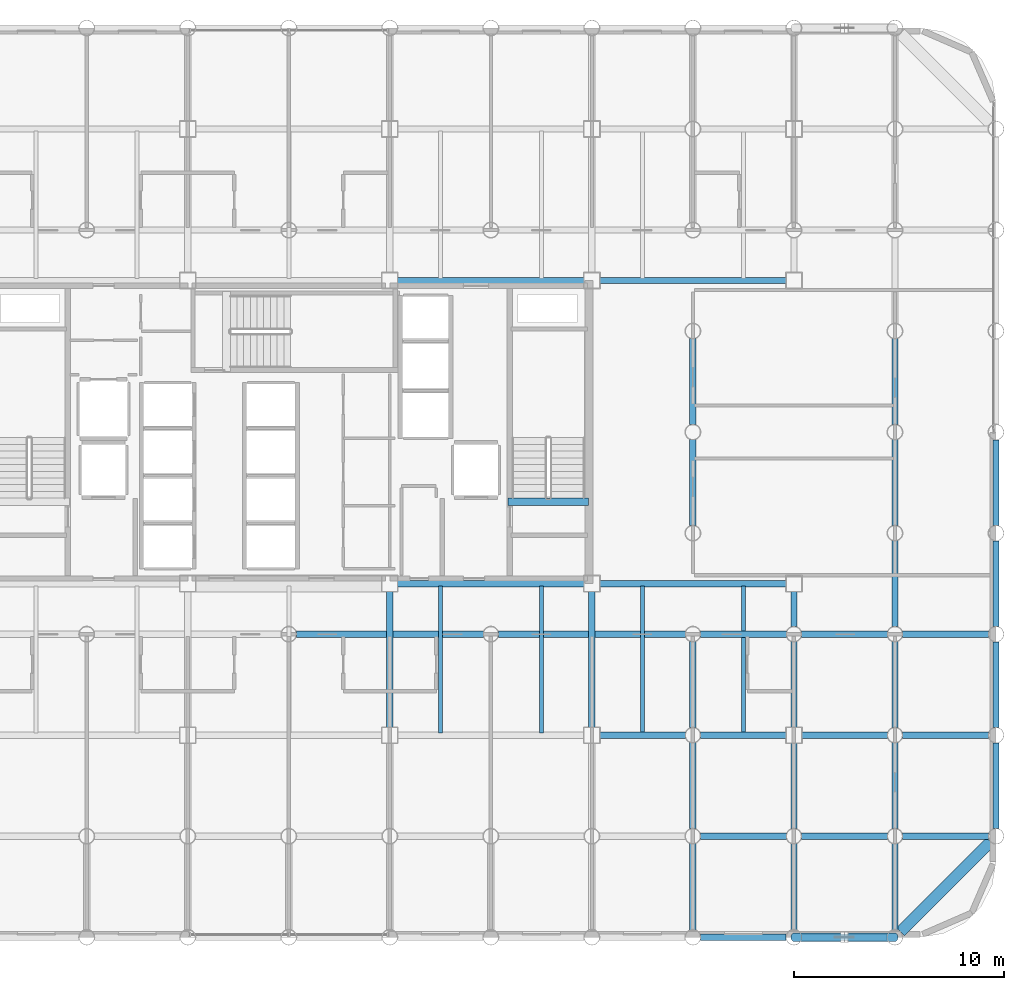
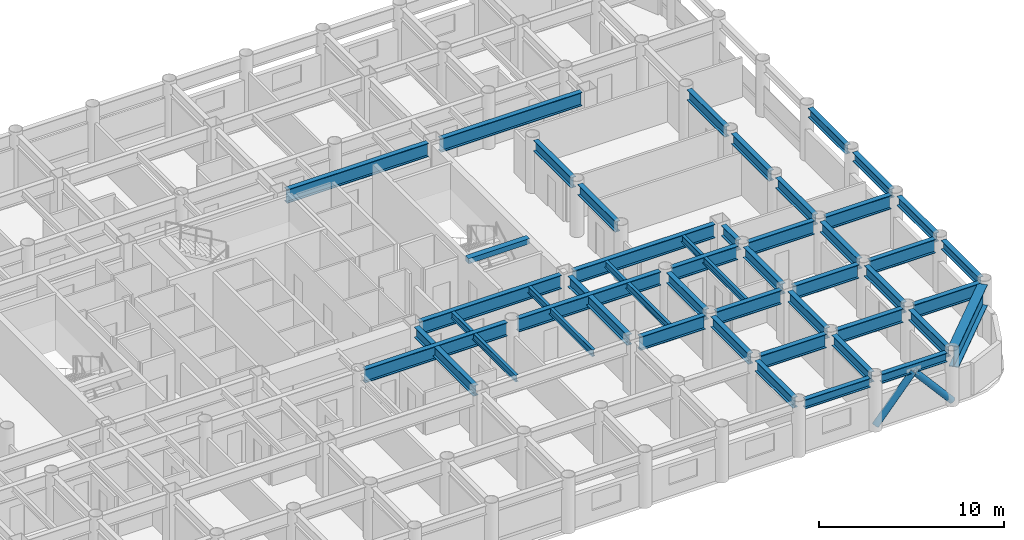
# One storey, part 7 of 21: 45 beams, 2 members.
"""IFC4 building model written with IfcOpenShell, lengths in metres."""

from ifc_helpers import new_model, si_unit, direction, frame, origin, origin_2d, place, context, subcontext, project, spatial, rectangle, hollow_circle, i_section, extrude, material, material_profile, profile_set, type_object, element, save


model = new_model("IFC4")

# Units and contexts
model_context = context("Model", 3, precision=1e-05, world=origin(), true_north=direction((0.0, 1.0)))
body_context = subcontext(model_context, "Body", "Model", "MODEL_VIEW")
ifc_project = project(units=[si_unit("LENGTHUNIT", "METRE"), si_unit("AREAUNIT", "SQUARE_METRE"), si_unit("VOLUMEUNIT", "CUBIC_METRE"), si_unit("PLANEANGLEUNIT", "RADIAN"), si_unit("MASSUNIT", "GRAM", prefix="KILO")], contexts=[model_context])

# Site, building, storey
site_placement = place(None, origin())
site = spatial("IfcSite", under=ifc_project, at=site_placement, CompositionType="ELEMENT")
building_placement = place(site_placement, origin())
building = spatial("IfcBuilding", under=site, at=building_placement, Name="Kallvorn Hotel Tower", CompositionType="ELEMENT")
storey_placement = place(building_placement, frame((0.0, 0.0, 81.800048828125)))
storey = spatial("IfcBuildingStorey", under=building, at=storey_placement, Name="L19", CompositionType="ELEMENT", Elevation=81.800048828125)

# Beams
ifc_material_1 = material(Name="Structural steel S355JR", Category="steel")
ifc_material_profile_1 = material_profile(ifc_material_1, i_section(OverallWidth=0.300048828125, OverallDepth=0.60009765625, WebThickness=0.015380859375, FlangeThickness=0.030029296875, at=origin_2d()), Name="HE 600 B")
ifc_profile_set_1 = profile_set([ifc_material_profile_1], Name="Structural steel S355JR")
beam_type_1 = type_object("IfcBeamType", Name="BM_HE600B", PredefinedType="SPANDREL", material=ifc_profile_set_1)
for number, where, z_axis, x_axis, name in (
    (1, (19.571044921875, -24.0, 3.219970703125), (1.0, 0.0, 0.0), (0.0, 1.0, 0.0), "L20 Perimeter Spandrel 160"),
    (2, (24.37109375, -24.0, 3.219970703125), (1.0, 0.0, 0.0), (0.0, 1.0, 0.0), "L20 Perimeter Spandrel 161"),
):
    element("IfcBeam", number, at=place(storey_placement, frame(where, z_axis=z_axis, x_axis=x_axis)), inside=storey, type_object=beam_type_1, Name=name, PredefinedType="SPANDREL", context=body_context, shape_type="SweptSolid", body=[
        extrude(i_section(OverallWidth=0.300048828125, OverallDepth=0.60009765625, WebThickness=0.015380859375, FlangeThickness=0.030029296875, at=origin_2d()), origin(), (0.0, 0.0, 1.0), 4.057861328125),
    ])
for number, where, z_axis, x_axis, name in (
    (3, (33.60009765625, -18.8291015625, 3.219970703125), (0.0, 1.0, 0.0), (-1.0, 0.0, 0.0), "L20 Perimeter Spandrel 182"),
    (4, (33.60009765625, -14.029052734375, 3.219970703125), (0.0, 1.0, 0.0), (-1.0, 0.0, 0.0), "L20 Perimeter Spandrel 183"),
    (5, (33.60009765625, -9.22900390625, 3.219970703125), (0.0, 1.0, 0.0), (-1.0, 0.0, 0.0), "L20 Perimeter Spandrel 184"),
):
    element("IfcBeam", number, at=place(storey_placement, frame(where, z_axis=z_axis, x_axis=x_axis)), inside=storey, type_object=beam_type_1, Name=name, PredefinedType="SPANDREL", context=body_context, shape_type="SweptSolid", body=[
        extrude(i_section(OverallWidth=0.300048828125, OverallDepth=0.60009765625, WebThickness=0.015380859375, FlangeThickness=0.030029296875, at=origin_2d()), origin(), (0.0, 0.0, 1.0), 4.05810546875),
    ])
beam_1_placement = place(storey_placement, frame((33.60009765625, -4.428955078125, 3.219970703125), z_axis=(0.0, 1.0, 0.0), x_axis=(-1.0, 0.0, 0.0)))
element("IfcBeam", 6, at=beam_1_placement, inside=storey, type_object=beam_type_1, Name="L20 Perimeter Spandrel 185", PredefinedType="SPANDREL", context=body_context, shape_type="SweptSolid", body=[
    extrude(i_section(OverallWidth=0.300048828125, OverallDepth=0.60009765625, WebThickness=0.015380859375, FlangeThickness=0.030029296875, at=origin_2d()), origin(), (0.0, 0.0, 1.0), 4.057861328125),
])
ifc_material_2 = material(Name="Structural steel S355JR", Category="steel")
ifc_material_profile_2 = material_profile(ifc_material_2, i_section(OverallWidth=0.300048828125, OverallDepth=0.699951171875, WebThickness=0.01708984375, FlangeThickness=0.031982421875, at=origin_2d()), Name="HE 700 B")
ifc_profile_set_2 = profile_set([ifc_material_profile_2], Name="Structural steel S355JR")
beam_type_2 = type_object("IfcBeamType", Name="BM_HE700B", PredefinedType="BEAM", material=ifc_profile_set_2)
for number, where, z_axis, x_axis, name in (
    (7, (4.800048828125, -14.02490234375, 3.169921875), (0.0, 1.0, 0.0), (-1.0, 0.0, 0.0), "L20 Primary Y-Girder 115"),
    (8, (14.39990234375, -14.02490234375, 3.169921875), (0.0, 1.0, 0.0), (-1.0, 0.0, 0.0), "L20 Primary Y-Girder 123"),
):
    element("IfcBeam", number, at=place(storey_placement, frame(where, z_axis=z_axis, x_axis=x_axis)), inside=storey, type_object=beam_type_2, Name=name, PredefinedType="BEAM", context=body_context, shape_type="SweptSolid", body=[
        extrude(i_section(OverallWidth=0.300048828125, OverallDepth=0.699951171875, WebThickness=0.01708984375, FlangeThickness=0.031982421875, at=origin_2d()), origin(), (0.0, 0.0, 1.0), 6.449951171875),
    ])
beam_2_placement = place(storey_placement, frame((19.199951171875, -23.64404296875, 3.169921875), z_axis=(0.0, 1.0, 0.0), x_axis=(-1.0, 0.0, 0.0)))
element("IfcBeam", 9, at=beam_2_placement, inside=storey, type_object=beam_type_2, Name="L20 Primary Y-Girder 126", PredefinedType="BEAM", context=body_context, shape_type="SweptSolid", body=[
    extrude(i_section(OverallWidth=0.300048828125, OverallDepth=0.699951171875, WebThickness=0.01708984375, FlangeThickness=0.031982421875, at=origin_2d()), origin(), (0.0, 0.0, 1.0), 4.088134765625),
])
for number, where, z_axis, x_axis, name in (
    (10, (19.199951171875, -18.843994140625, 3.169921875), (0.0, 1.0, 0.0), (-1.0, 0.0, 0.0), "L20 Primary Y-Girder 127"),
    (11, (19.199951171875, -14.0439453125, 3.169921875), (0.0, 1.0, 0.0), (-1.0, 0.0, 0.0), "L20 Primary Y-Girder 128"),
):
    element("IfcBeam", number, at=place(storey_placement, frame(where, z_axis=z_axis, x_axis=x_axis)), inside=storey, type_object=beam_type_2, Name=name, PredefinedType="BEAM", context=body_context, shape_type="SweptSolid", body=[
        extrude(i_section(OverallWidth=0.300048828125, OverallDepth=0.699951171875, WebThickness=0.01708984375, FlangeThickness=0.031982421875, at=origin_2d()), origin(), (0.0, 0.0, 1.0), 4.087890625),
    ])
for number, where, z_axis, x_axis, name in (
    (12, (19.199951171875, -4.444091796875, 3.169921875), (0.0, 1.0, 0.0), (-1.0, 0.0, 0.0), "L20 Primary Y-Girder 130"),
    (13, (19.199951171875, 0.35595703125, 3.169921875), (0.0, 1.0, 0.0), (-1.0, 0.0, 0.0), "L20 Primary Y-Girder 131"),
    (14, (24.0, -23.64404296875, 3.169921875), (0.0, 1.0, 0.0), (-1.0, 0.0, 0.0), "L20 Primary Y-Girder 135"),
):
    element("IfcBeam", number, at=place(storey_placement, frame(where, z_axis=z_axis, x_axis=x_axis)), inside=storey, type_object=beam_type_2, Name=name, PredefinedType="BEAM", context=body_context, shape_type="SweptSolid", body=[
        extrude(i_section(OverallWidth=0.300048828125, OverallDepth=0.699951171875, WebThickness=0.01708984375, FlangeThickness=0.031982421875, at=origin_2d()), origin(), (0.0, 0.0, 1.0), 4.088134765625),
    ])
beam_3_placement = place(storey_placement, frame((24.0, -18.843994140625, 3.169921875), z_axis=(0.0, 1.0, 0.0), x_axis=(-1.0, 0.0, 0.0)))
element("IfcBeam", 15, at=beam_3_placement, inside=storey, type_object=beam_type_2, Name="L20 Primary Y-Girder 136", PredefinedType="BEAM", context=body_context, shape_type="SweptSolid", body=[
    extrude(i_section(OverallWidth=0.300048828125, OverallDepth=0.699951171875, WebThickness=0.01708984375, FlangeThickness=0.031982421875, at=origin_2d()), origin(), (0.0, 0.0, 1.0), 4.069091796875),
])
beam_4_placement = place(storey_placement, frame((24.0, -14.02490234375, 3.169921875), z_axis=(0.0, 1.0, 0.0), x_axis=(-1.0, 0.0, 0.0)))
element("IfcBeam", 16, at=beam_4_placement, inside=storey, type_object=beam_type_2, Name="L20 Primary Y-Girder 137", PredefinedType="BEAM", context=body_context, shape_type="SweptSolid", body=[
    extrude(i_section(OverallWidth=0.300048828125, OverallDepth=0.699951171875, WebThickness=0.01708984375, FlangeThickness=0.031982421875, at=origin_2d()), origin(), (0.0, 0.0, 1.0), 4.06884765625),
])
beam_5_placement = place(storey_placement, frame((24.0, -9.243896484375, 3.169921875), z_axis=(0.0, 1.0, 0.0), x_axis=(-1.0, 0.0, 0.0)))
element("IfcBeam", 17, at=beam_5_placement, inside=storey, type_object=beam_type_2, Name="L20 Primary Y-Girder 138", PredefinedType="BEAM", context=body_context, shape_type="SweptSolid", body=[
    extrude(i_section(OverallWidth=0.300048828125, OverallDepth=0.699951171875, WebThickness=0.01708984375, FlangeThickness=0.031982421875, at=origin_2d()), origin(), (0.0, 0.0, 1.0), 1.6689453125),
])
beam_6_placement = place(storey_placement, frame((28.800048828125, -23.64404296875, 3.169921875), z_axis=(0.0, 1.0, 0.0), x_axis=(-1.0, 0.0, 0.0)))
element("IfcBeam", 18, at=beam_6_placement, inside=storey, type_object=beam_type_2, Name="L20 Primary Y-Girder 142", PredefinedType="BEAM", context=body_context, shape_type="SweptSolid", body=[
    extrude(i_section(OverallWidth=0.300048828125, OverallDepth=0.699951171875, WebThickness=0.01708984375, FlangeThickness=0.031982421875, at=origin_2d()), origin(), (0.0, 0.0, 1.0), 4.088134765625),
])
for number, where, z_axis, x_axis, name in (
    (19, (28.800048828125, -18.843994140625, 3.169921875), (0.0, 1.0, 0.0), (-1.0, 0.0, 0.0), "L20 Primary Y-Girder 143"),
    (20, (28.800048828125, -14.0439453125, 3.169921875), (0.0, 1.0, 0.0), (-1.0, 0.0, 0.0), "L20 Primary Y-Girder 144"),
    (21, (28.800048828125, -9.243896484375, 3.169921875), (0.0, 1.0, 0.0), (-1.0, 0.0, 0.0), "L20 Primary Y-Girder 145"),
):
    element("IfcBeam", number, at=place(storey_placement, frame(where, z_axis=z_axis, x_axis=x_axis)), inside=storey, type_object=beam_type_2, Name=name, PredefinedType="BEAM", context=body_context, shape_type="SweptSolid", body=[
        extrude(i_section(OverallWidth=0.300048828125, OverallDepth=0.699951171875, WebThickness=0.01708984375, FlangeThickness=0.031982421875, at=origin_2d()), origin(), (0.0, 0.0, 1.0), 4.087890625),
    ])
for number, where, z_axis, x_axis, name in (
    (22, (28.800048828125, -4.444091796875, 3.169921875), (0.0, 1.0, 0.0), (-1.0, 0.0, 0.0), "L20 Primary Y-Girder 146"),
    (23, (28.800048828125, 0.35595703125, 3.169921875), (0.0, 1.0, 0.0), (-1.0, 0.0, 0.0), "L20 Primary Y-Girder 147"),
):
    element("IfcBeam", number, at=place(storey_placement, frame(where, z_axis=z_axis, x_axis=x_axis)), inside=storey, type_object=beam_type_2, Name=name, PredefinedType="BEAM", context=body_context, shape_type="SweptSolid", body=[
        extrude(i_section(OverallWidth=0.300048828125, OverallDepth=0.699951171875, WebThickness=0.01708984375, FlangeThickness=0.031982421875, at=origin_2d()), origin(), (0.0, 0.0, 1.0), 4.088134765625),
    ])
ifc_material_3 = material(Name="Structural steel S355JR", Category="steel")
ifc_material_profile_3 = material_profile(ifc_material_3, i_section(OverallWidth=0.300048828125, OverallDepth=0.89990234375, WebThickness=0.0185546875, FlangeThickness=0.034912109375, at=origin_2d()), Name="HE 900 B")
ifc_profile_set_3 = profile_set([ifc_material_profile_3], Name="Structural steel S355JR")
beam_type_3 = type_object("IfcBeamType", Name="BM_HE900B", PredefinedType="BEAM", material=ifc_profile_set_3)
for number, where, z_axis, x_axis, name in (
    (24, (19.555908203125, -19.199951171875, 3.070068359375), (1.0, 0.0, 0.0), (0.0, 1.0, 0.0), "L20 Primary X-Girder 11"),
    (25, (24.35595703125, -19.199951171875, 3.070068359375), (1.0, 0.0, 0.0), (0.0, 1.0, 0.0), "L20 Primary X-Girder 12"),
):
    element("IfcBeam", number, at=place(storey_placement, frame(where, z_axis=z_axis, x_axis=x_axis)), inside=storey, type_object=beam_type_3, Name=name, PredefinedType="BEAM", context=body_context, shape_type="SweptSolid", body=[
        extrude(i_section(OverallWidth=0.300048828125, OverallDepth=0.89990234375, WebThickness=0.0185546875, FlangeThickness=0.034912109375, at=origin_2d()), origin(), (0.0, 0.0, 1.0), 4.088134765625),
    ])
beam_7_placement = place(storey_placement, frame((29.156005859375, -19.199951171875, 3.070068359375), z_axis=(1.0, 0.0, 0.0), x_axis=(0.0, 1.0, 0.0)))
element("IfcBeam", 26, at=beam_7_placement, inside=storey, type_object=beam_type_3, Name="L20 Primary X-Girder 13", PredefinedType="BEAM", context=body_context, shape_type="SweptSolid", body=[
    extrude(i_section(OverallWidth=0.300048828125, OverallDepth=0.89990234375, WebThickness=0.0185546875, FlangeThickness=0.034912109375, at=origin_2d()), origin(), (0.0, 0.0, 1.0), 4.087890625),
])
for number, where, z_axis, x_axis, name in (
    (27, (14.77490234375, -14.39990234375, 3.070068359375), (1.0, 0.0, 0.0), (0.0, 1.0, 0.0), "L20 Primary X-Girder 20"),
    (28, (19.555908203125, -14.39990234375, 3.070068359375), (1.0, 0.0, 0.0), (0.0, 1.0, 0.0), "L20 Primary X-Girder 21"),
    (29, (24.375, -14.39990234375, 3.070068359375), (1.0, 0.0, 0.0), (0.0, 1.0, 0.0), "L20 Primary X-Girder 22"),
):
    element("IfcBeam", number, at=place(storey_placement, frame(where, z_axis=z_axis, x_axis=x_axis)), inside=storey, type_object=beam_type_3, Name=name, PredefinedType="BEAM", context=body_context, shape_type="SweptSolid", body=[
        extrude(i_section(OverallWidth=0.300048828125, OverallDepth=0.89990234375, WebThickness=0.0185546875, FlangeThickness=0.034912109375, at=origin_2d()), origin(), (0.0, 0.0, 1.0), 4.069091796875),
    ])
beam_8_placement = place(storey_placement, frame((29.156005859375, -14.39990234375, 3.070068359375), z_axis=(1.0, 0.0, 0.0), x_axis=(0.0, 1.0, 0.0)))
element("IfcBeam", 30, at=beam_8_placement, inside=storey, type_object=beam_type_3, Name="L20 Primary X-Girder 23", PredefinedType="BEAM", context=body_context, shape_type="SweptSolid", body=[
    extrude(i_section(OverallWidth=0.300048828125, OverallDepth=0.89990234375, WebThickness=0.0185546875, FlangeThickness=0.034912109375, at=origin_2d()), origin(), (0.0, 0.0, 1.0), 4.087890625),
])
for number, where, z_axis, x_axis, name in (
    (31, (0.35595703125, -9.60009765625, 3.070068359375), (1.0, 0.0, 0.0), (0.0, 1.0, 0.0), "L20 Primary X-Girder 28"),
    (32, (9.9560546875, -9.60009765625, 3.070068359375), (1.0, 0.0, 0.0), (0.0, 1.0, 0.0), "L20 Primary X-Girder 29"),
):
    element("IfcBeam", number, at=place(storey_placement, frame(where, z_axis=z_axis, x_axis=x_axis)), inside=storey, type_object=beam_type_3, Name=name, PredefinedType="BEAM", context=body_context, shape_type="SweptSolid", body=[
        extrude(i_section(OverallWidth=0.300048828125, OverallDepth=0.89990234375, WebThickness=0.0185546875, FlangeThickness=0.034912109375, at=origin_2d()), origin(), (0.0, 0.0, 1.0), 8.887939453125),
    ])
for number, where, z_axis, x_axis, name in (
    (33, (19.555908203125, -9.60009765625, 3.070068359375), (1.0, 0.0, 0.0), (0.0, 1.0, 0.0), "L20 Primary X-Girder 30"),
    (34, (24.35595703125, -9.60009765625, 3.070068359375), (1.0, 0.0, 0.0), (0.0, 1.0, 0.0), "L20 Primary X-Girder 31"),
):
    element("IfcBeam", number, at=place(storey_placement, frame(where, z_axis=z_axis, x_axis=x_axis)), inside=storey, type_object=beam_type_3, Name=name, PredefinedType="BEAM", context=body_context, shape_type="SweptSolid", body=[
        extrude(i_section(OverallWidth=0.300048828125, OverallDepth=0.89990234375, WebThickness=0.0185546875, FlangeThickness=0.034912109375, at=origin_2d()), origin(), (0.0, 0.0, 1.0), 4.088134765625),
    ])
beam_9_placement = place(storey_placement, frame((29.156005859375, -9.60009765625, 3.070068359375), z_axis=(1.0, 0.0, 0.0), x_axis=(0.0, 1.0, 0.0)))
element("IfcBeam", 35, at=beam_9_placement, inside=storey, type_object=beam_type_3, Name="L20 Primary X-Girder 32", PredefinedType="BEAM", context=body_context, shape_type="SweptSolid", body=[
    extrude(i_section(OverallWidth=0.300048828125, OverallDepth=0.89990234375, WebThickness=0.0185546875, FlangeThickness=0.034912109375, at=origin_2d()), origin(), (0.0, 0.0, 1.0), 4.087890625),
])
beam_10_placement = place(storey_placement, frame((5.175048828125, -7.199951171875, 3.070068359375), z_axis=(1.0, 0.0, 0.0), x_axis=(0.0, 1.0, 0.0)))
element("IfcBeam", 36, at=beam_10_placement, inside=storey, type_object=beam_type_3, Name="L20 Primary X-Girder 35", PredefinedType="BEAM", context=body_context, shape_type="SweptSolid", body=[
    extrude(i_section(OverallWidth=0.300048828125, OverallDepth=0.89990234375, WebThickness=0.0185546875, FlangeThickness=0.034912109375, at=origin_2d()), origin(), (0.0, 0.0, 1.0), 8.849853515625),
])
beam_11_placement = place(storey_placement, frame((14.77490234375, -7.199951171875, 3.070068359375), z_axis=(1.0, 0.0, 0.0), x_axis=(0.0, 1.0, 0.0)))
element("IfcBeam", 37, at=beam_11_placement, inside=storey, type_object=beam_type_3, Name="L20 Primary X-Girder 36", PredefinedType="BEAM", context=body_context, shape_type="SweptSolid", body=[
    extrude(i_section(OverallWidth=0.300048828125, OverallDepth=0.89990234375, WebThickness=0.0185546875, FlangeThickness=0.034912109375, at=origin_2d()), origin(), (0.0, 0.0, 1.0), 8.85009765625),
])
beam_12_placement = place(storey_placement, frame((5.175048828125, 7.199951171875, 3.070068359375), z_axis=(1.0, 0.0, 0.0), x_axis=(0.0, 1.0, 0.0)))
element("IfcBeam", 38, at=beam_12_placement, inside=storey, type_object=beam_type_3, Name="L20 Primary X-Girder 40", PredefinedType="BEAM", context=body_context, shape_type="SweptSolid", body=[
    extrude(i_section(OverallWidth=0.300048828125, OverallDepth=0.89990234375, WebThickness=0.0185546875, FlangeThickness=0.034912109375, at=origin_2d()), origin(), (0.0, 0.0, 1.0), 8.849853515625),
])
beam_13_placement = place(storey_placement, frame((14.77490234375, 7.199951171875, 3.070068359375), z_axis=(1.0, 0.0, 0.0), x_axis=(0.0, 1.0, 0.0)))
element("IfcBeam", 39, at=beam_13_placement, inside=storey, type_object=beam_type_3, Name="L20 Primary X-Girder 41", PredefinedType="BEAM", context=body_context, shape_type="SweptSolid", body=[
    extrude(i_section(OverallWidth=0.300048828125, OverallDepth=0.89990234375, WebThickness=0.0185546875, FlangeThickness=0.034912109375, at=origin_2d()), origin(), (0.0, 0.0, 1.0), 8.85009765625),
])
ifc_material_4 = material(Name="Structural steel S355JR", Category="steel")
ifc_material_profile_4 = material_profile(ifc_material_4, i_section(OverallWidth=0.18994140625, OverallDepth=0.449951171875, WebThickness=0.009521484375, FlangeThickness=0.0146484375, at=origin_2d()), Name="IPE 450")
ifc_profile_set_4 = profile_set([ifc_material_profile_4], Name="Structural steel S355JR")
beam_type_4 = type_object("IfcBeamType", Name="BM_IPE450", PredefinedType="JOIST", material=ifc_profile_set_4)
for number, where, z_axis, x_axis, name in (
    (40, (7.199951171875, -14.300048828125, 3.294921875), (0.0, 1.0, 0.0), (-1.0, 0.0, 0.0), "L20 Secondary Composite Joist 202"),
    (41, (12.0, -14.300048828125, 3.294921875), (0.0, 1.0, 0.0), (-1.0, 0.0, 0.0), "L20 Secondary Composite Joist 204"),
    (42, (16.800048828125, -14.300048828125, 3.294921875), (0.0, 1.0, 0.0), (-1.0, 0.0, 0.0), "L20 Secondary Composite Joist 206"),
    (43, (21.60009765625, -14.300048828125, 3.294921875), (0.0, 1.0, 0.0), (-1.0, 0.0, 0.0), "L20 Secondary Composite Joist 208"),
):
    element("IfcBeam", number, at=place(storey_placement, frame(where, z_axis=z_axis, x_axis=x_axis)), inside=storey, type_object=beam_type_4, Name=name, PredefinedType="JOIST", context=body_context, shape_type="SweptSolid", body=[
        extrude(i_section(OverallWidth=0.18994140625, OverallDepth=0.449951171875, WebThickness=0.009521484375, FlangeThickness=0.0146484375, at=origin_2d()), origin(), (0.0, 0.0, 1.0), 7.0),
    ])
ifc_material_5 = material(Name="Structural steel S355JR", Category="steel")
ifc_material_profile_5 = material_profile(ifc_material_5, i_section(OverallWidth=0.550048828125, OverallDepth=1.39990234375, WebThickness=0.02490234375, FlangeThickness=0.044921875, at=origin_2d()), Name="PG 1400x550x25x45")
ifc_profile_set_5 = profile_set([ifc_material_profile_5], Name="Structural steel S355JR")
beam_type_5 = type_object("IfcBeamType", Name="BM_PG_1400", PredefinedType="BEAM", material=ifc_profile_set_5)
beam_14_placement = place(storey_placement, frame((33.337646484375, -19.46240234375, 2.820068359375), z_axis=(-0.707106781187, -0.707106781187, 0.0), x_axis=(0.707106781187, -0.707106781187, 0.0)))
element("IfcBeam", 44, at=beam_14_placement, inside=storey, type_object=beam_type_5, Name="L20 Rounded Corner Tie Beam 190", PredefinedType="BEAM", context=body_context, shape_type="SweptSolid", body=[
    extrude(i_section(OverallWidth=0.550048828125, OverallDepth=1.39990234375, WebThickness=0.02490234375, FlangeThickness=0.044921875, at=origin_2d()), origin(), (0.0, 0.0, 1.0), 6.04638671875),
])
ifc_material_6 = material(Name="Concrete C50/60", Category="concrete")
ifc_material_profile_6 = material_profile(ifc_material_6, rectangle(XDim=0.360107421875, YDim=0.340087890625, at=origin_2d()), Name="RC 360x340")
ifc_profile_set_6 = profile_set([ifc_material_profile_6], Name="Concrete C50/60")
beam_type_6 = type_object("IfcBeamType", Name="BM_RC_400x360", PredefinedType="BEAM", material=ifc_profile_set_6)
beam_15_placement = place(storey_placement, frame((14.239990234375, -3.31005859375, 3.349853515625), z_axis=(-1.0, 0.0, 0.0), x_axis=(0.0, -1.0, 0.0)))
element("IfcBeam", 45, at=beam_15_placement, inside=storey, type_object=beam_type_6, Name="L20 Stair ST2 Arrival Trimmer Beam", PredefinedType="BEAM", context=body_context, shape_type="SweptSolid", body=[
    extrude(rectangle(XDim=0.360107421875, YDim=0.340087890625, at=origin_2d()), origin(), (0.0, 0.0, 1.0), 3.820068359375),
])

# Members
ifc_material_7 = material(Name="Structural steel S355J2H", Category="steel")
ifc_material_profile_7 = material_profile(ifc_material_7, hollow_circle(Radius=0.203125, WallThickness=0.01611328125, at=origin_2d()), Name="CHS 406.4x16")
ifc_profile_set_7 = profile_set([ifc_material_profile_7], Name="Structural steel S355J2H")
member_type = type_object("IfcMemberType", Name="MBR_EXO_CHS406", PredefinedType="BRACE", material=ifc_profile_set_7)
for number, where, z_axis, x_axis, name in (
    (46, (24.01318359375, -24.0, 0.195068359375), (0.65346062529, 0.0, 0.756960508346), (0.0, 1.0, 0.0), "L19 Exoskeleton K-Brace S2A"),
    (47, (28.786865234375, -24.0, 0.195068359375), (-0.65346062529, 0.0, 0.756960508346), (0.0, -1.0, 0.0), "L19 Exoskeleton K-Brace S2B"),
):
    element("IfcMember", number, at=place(storey_placement, frame(where, z_axis=z_axis, x_axis=x_axis)), inside=storey, type_object=member_type, Name=name, PredefinedType="BRACE", context=body_context, shape_type="SweptSolid", body=[
        extrude(hollow_circle(Radius=0.203125, WallThickness=0.01611328125, at=origin_2d()), origin(), (0.0, 0.0, 1.0), 3.632568359375),
    ])

save(model, "model.ifc")
